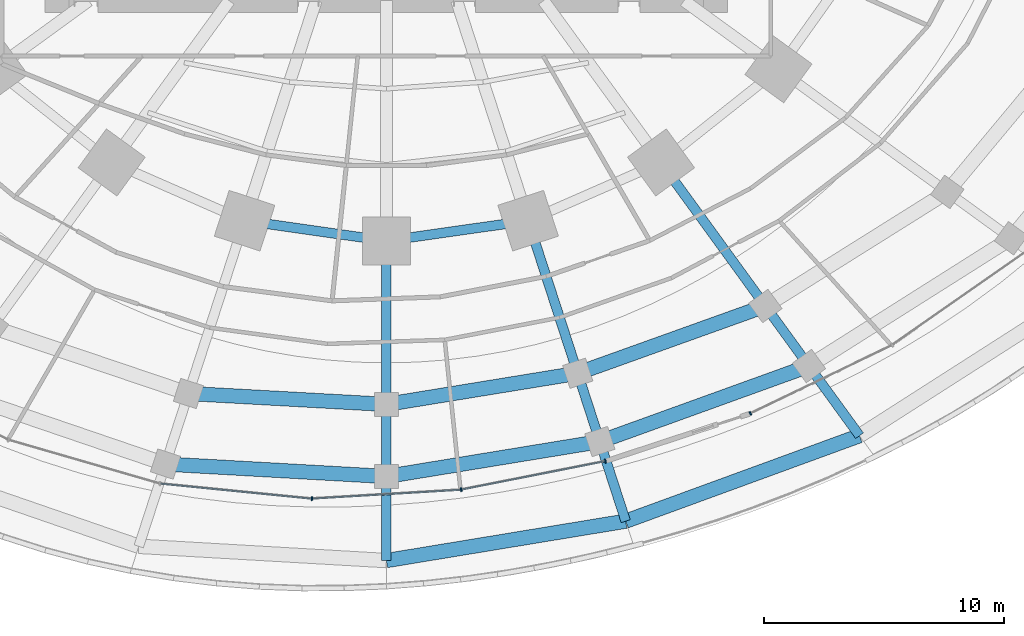
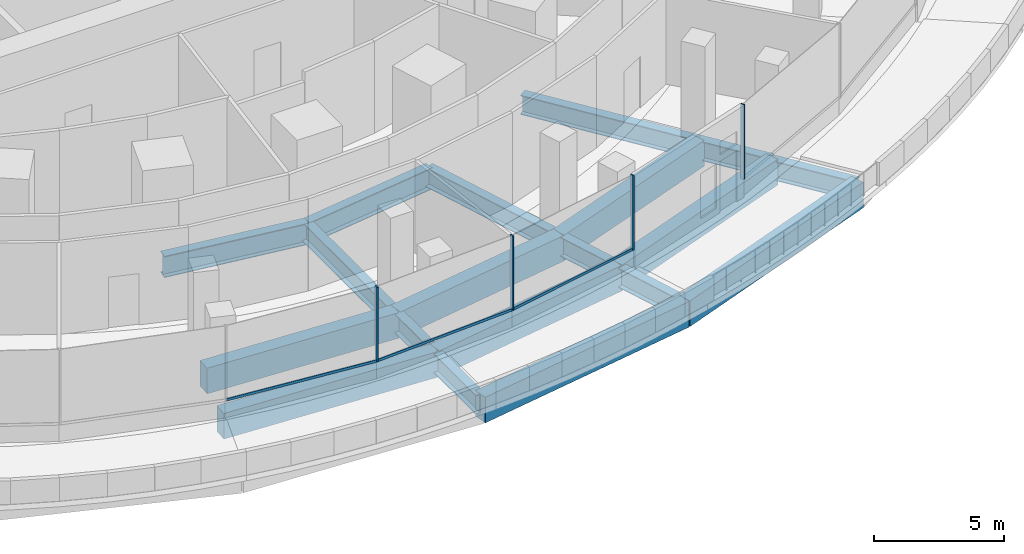
# One storey, part 5 of 27: 19 beams, 7 members, 2 elements without a shape of their own.
"""IFC4 building model written with IfcOpenShell, lengths in metres."""

from ifc_helpers import new_model, si_unit, direction, frame, origin, origin_2d, place, context, subcontext, project, spatial, rectangle, i_section, extrude, material, material_profile, profile_set, type_object, element, aggregate, save


model = new_model("IFC4")

# Units and contexts
model_context = context("Model", 3, precision=1e-05, world=origin(), true_north=direction((0.0, 1.0)))
body_context = subcontext(model_context, "Body", "Model", "MODEL_VIEW")
ifc_project = project(units=[si_unit("LENGTHUNIT", "METRE"), si_unit("AREAUNIT", "SQUARE_METRE"), si_unit("VOLUMEUNIT", "CUBIC_METRE"), si_unit("PLANEANGLEUNIT", "RADIAN"), si_unit("MASSUNIT", "GRAM", prefix="KILO")], contexts=[model_context])

# Site, building, storey
site_placement = place(None, origin())
site = spatial("IfcSite", under=ifc_project, at=site_placement, CompositionType="ELEMENT")
building_placement = place(site_placement, origin())
building = spatial("IfcBuilding", under=site, at=building_placement, Name="Marramba Exchange Tower", CompositionType="ELEMENT")
storey_placement = place(building_placement, frame((0.0, 0.0, 10.60009765625)))
storey = spatial("IfcBuildingStorey", under=building, at=storey_placement, Name="L02", CompositionType="ELEMENT", Elevation=10.60009765625)

# Beams
ifc_material_1 = material(Name="Concrete N50", Category="concrete")
ifc_material_profile_1 = material_profile(ifc_material_1, rectangle(XDim=0.60009765625, YDim=1.199951171875, at=origin_2d()), Name="RC 600x1200")
ifc_profile_set_1 = profile_set([ifc_material_profile_1], Name="Concrete N50")
beam_type_1 = type_object("IfcBeamType", Name="Edge beam RC 600x1200 N50", PredefinedType="SPANDREL", material=ifc_profile_set_1)
beam_1_placement = place(storey_placement, frame((0.0, -32.300048828125, -0.85009765625), z_axis=(0.986720687671, 0.16242624333, 0.0), x_axis=(-0.16242624333, 0.986720687671, 0.0)))
element("IfcBeam", 1, at=beam_1_placement, inside=storey, type_object=beam_type_1, Name="Edge beam L02 P1C16", PredefinedType="SPANDREL", context=body_context, shape_type="SweptSolid", body=[
    extrude(rectangle(XDim=0.60009765625, YDim=1.199951171875, at=origin_2d()), origin(), (0.0, 0.0, 1.0), 10.09619140625),
])
beam_2_placement = place(storey_placement, frame((9.962158203125, -30.66015625, -0.85009765625), z_axis=(0.939206472346, 0.343352883057, 0.0), x_axis=(-0.343352883057, 0.939206472346, 0.0)))
element("IfcBeam", 2, at=beam_2_placement, inside=storey, type_object=beam_type_1, Name="Edge beam L02 P1C17", PredefinedType="SPANDREL", context=body_context, shape_type="SweptSolid", body=[
    extrude(rectangle(XDim=0.60009765625, YDim=1.199951171875, at=origin_2d()), origin(), (0.0, 0.0, 1.0), 10.359375),
])
beam_3_placement = place(storey_placement, frame((-9.190185546875, -28.28466796875, -0.800048828125), z_axis=(0.998431244986, -0.055991508598, 0.0), x_axis=(0.055991508598, 0.998431244986, 0.0)))
element("IfcBeam", 3, at=beam_3_placement, inside=storey, type_object=beam_type_1, Name="Edge beam L02 P2C15", PredefinedType="SPANDREL", context=body_context, shape_type="SweptSolid", body=[
    extrude(rectangle(XDim=0.60009765625, YDim=1.199951171875, at=origin_2d()), origin(), (0.0, 0.0, 1.0), 9.20458984375),
])
beam_4_placement = place(storey_placement, frame((0.0, -28.800048828125, -0.800048828125), z_axis=(0.986899242558, 0.161337797923, 0.0), x_axis=(-0.161337797923, 0.986899242558, 0.0)))
element("IfcBeam", 4, at=beam_4_placement, inside=storey, type_object=beam_type_1, Name="Edge beam L02 P2C16", PredefinedType="SPANDREL", context=body_context, shape_type="SweptSolid", body=[
    extrude(rectangle(XDim=0.60009765625, YDim=1.199951171875, at=origin_2d()), origin(), (0.0, 0.0, 1.0), 9.003662109375),
])
beam_5_placement = place(storey_placement, frame((8.8857421875, -27.347412109375, -0.800048828125), z_axis=(0.940481976413, 0.339843569958, 0.0), x_axis=(-0.339843569958, 0.940481976413, 0.0)))
element("IfcBeam", 5, at=beam_5_placement, inside=storey, type_object=beam_type_1, Name="Edge beam L02 P2C17", PredefinedType="SPANDREL", context=body_context, shape_type="SweptSolid", body=[
    extrude(rectangle(XDim=0.60009765625, YDim=1.199951171875, at=origin_2d()), origin(), (0.0, 0.0, 1.0), 9.25),
])
beam_6_placement = place(storey_placement, frame((-8.23583984375, -25.347412109375, -0.800048828125), z_axis=(0.998493145598, -0.054876572358, 0.0), x_axis=(0.054876572358, 0.998493145598, 0.0)))
element("IfcBeam", 6, at=beam_6_placement, inside=storey, type_object=beam_type_1, Name="Edge beam L02 P3C15", PredefinedType="SPANDREL", context=body_context, shape_type="SweptSolid", body=[
    extrude(rectangle(XDim=0.60009765625, YDim=1.199951171875, at=origin_2d()), origin(), (0.0, 0.0, 1.0), 8.248291015625),
])
beam_7_placement = place(storey_placement, frame((0.0, -25.800048828125, -0.800048828125), z_axis=(0.987006935066, 0.160677659091, 0.0), x_axis=(-0.160677659091, 0.987006935066, 0.0)))
element("IfcBeam", 7, at=beam_7_placement, inside=storey, type_object=beam_type_1, Name="Edge beam L02 P3C16", PredefinedType="SPANDREL", context=body_context, shape_type="SweptSolid", body=[
    extrude(rectangle(XDim=0.60009765625, YDim=1.199951171875, at=origin_2d()), origin(), (0.0, 0.0, 1.0), 8.066650390625),
])
beam_8_placement = place(storey_placement, frame((7.9619140625, -24.50390625, -0.800048828125), z_axis=(0.941347695699, 0.337438165895, 0.0), x_axis=(-0.337438165895, 0.941347695699, 0.0)))
element("IfcBeam", 8, at=beam_8_placement, inside=storey, type_object=beam_type_1, Name="Edge beam L02 P3C17", PredefinedType="SPANDREL", context=body_context, shape_type="SweptSolid", body=[
    extrude(rectangle(XDim=0.60009765625, YDim=1.199951171875, at=origin_2d()), origin(), (0.0, 0.0, 1.0), 8.29443359375),
])

# Curtain wall, members
ifc_material_2 = material(Name="Aluminium framing, bronze anodised", Category="aluminium")
curtain_wall_type = type_object("IfcCurtainWallType", Name="Podium ribbon curtain wall", PredefinedType="USERDEFINED", material=ifc_material_2)
curtain_wall_1_placement = place(storey_placement, origin())
curtain_wall_1 = element("IfcCurtainWall", 9, at=curtain_wall_1_placement, inside=storey, type_object=curtain_wall_type, Name="Curtain wall CW2 L02 F21-F24", ObjectType="RIBBON CURTAIN WALL", PredefinedType="USERDEFINED")
ifc_material_3 = material(Name="Aluminium mullion, bronze anodised", Category="aluminium")
ifc_material_profile_2 = material_profile(ifc_material_3, rectangle(XDim=0.159912109375, YDim=0.06005859375, at=origin_2d()), Name="CW2 mullion 60x160")
ifc_profile_set_2 = profile_set([ifc_material_profile_2], Name="Aluminium mullion, bronze anodised")
member_type_1 = type_object("IfcMemberType", Name="Podium ribbon curtain wall mullion", PredefinedType="MULLION", material=ifc_profile_set_2)
member_1_placement = place(storey_placement, frame((-3.093994140625, -29.720458984375, 0.7998046875), z_axis=(0.0, 0.0, 1.0), x_axis=(-0.059389906272, 0.99823486166, 0.0)))
member_1 = element("IfcMember", 10, at=member_1_placement, type_object=member_type_1, Name="CW2 mullion 1", PredefinedType="MULLION", context=body_context, shape_type="SweptSolid", body=[
    extrude(rectangle(XDim=0.159912109375, YDim=0.06005859375, at=origin_2d()), origin(), (0.0, 0.0, 1.0), 3.5),
])
member_2_placement = place(storey_placement, frame((3.114501953125, -29.346923828125, 0.7998046875), z_axis=(0.0, 0.0, 1.0), x_axis=(-0.19366814038, 0.981067098318, 0.0)))
member_2 = element("IfcMember", 11, at=member_2_placement, type_object=member_type_1, Name="CW2 mullion 1", PredefinedType="MULLION", context=body_context, shape_type="SweptSolid", body=[
    extrude(rectangle(XDim=0.159912109375, YDim=0.06005859375, at=origin_2d()), origin(), (0.0, 0.0, 1.0), 3.5),
])
member_3_placement = place(storey_placement, frame((9.118896484375, -28.16162109375, 0.7998046875), z_axis=(0.0, 0.0, 1.0), x_axis=(-0.19366814038, 0.981067098318, 0.0)))
member_3 = element("IfcMember", 12, at=member_3_placement, type_object=member_type_1, Name="CW2 mullion 2", PredefinedType="MULLION", context=body_context, shape_type="SweptSolid", body=[
    extrude(rectangle(XDim=0.159912109375, YDim=0.06005859375, at=origin_2d()), origin(), (0.0, 0.0, 1.0), 3.5),
])

# Curtain wall, member
curtain_wall_2_placement = place(storey_placement, origin())
curtain_wall_2 = element("IfcCurtainWall", 13, at=curtain_wall_2_placement, inside=storey, type_object=curtain_wall_type, Name="Curtain wall CW2 L02 F26-F27", ObjectType="RIBBON CURTAIN WALL", PredefinedType="USERDEFINED")
member_4_placement = place(storey_placement, frame((15.14794921875, -26.177001953125, 0.7998046875), z_axis=(0.0, 0.0, 1.0), x_axis=(-0.433910456929, 0.900956000795, 0.0)))
member_4 = element("IfcMember", 14, at=member_4_placement, type_object=member_type_1, Name="CW2 mullion 1", PredefinedType="MULLION", context=body_context, shape_type="SweptSolid", body=[
    extrude(rectangle(XDim=0.159912109375, YDim=0.06005859375, at=origin_2d()), origin(), (0.0, 0.0, 1.0), 3.5),
])
aggregate(curtain_wall_2, [member_4])

# Member
ifc_material_4 = material(Name="Aluminium transom, bronze anodised", Category="aluminium")
ifc_material_profile_3 = material_profile(ifc_material_4, rectangle(XDim=0.06005859375, YDim=0.1201171875, at=origin_2d()), Name="CW2 transom 60x120")
ifc_profile_set_3 = profile_set([ifc_material_profile_3], Name="Aluminium transom, bronze anodised")
member_type_2 = type_object("IfcMemberType", Name="Podium ribbon curtain wall transom", PredefinedType="USERDEFINED", material=ifc_profile_set_3)
member_5_placement = place(storey_placement, frame((-9.39306640625, -29.098876953125, 0.829833984375), z_axis=(0.99509381442, -0.098935840339, 0.0), x_axis=(0.098935840339, 0.99509381442, 0.0)))
member_5 = element("IfcMember", 15, at=member_5_placement, type_object=member_type_2, Name="CW2 sill transom", ObjectType="TRANSOM", PredefinedType="USERDEFINED", context=body_context, shape_type="SweptSolid", body=[
    extrude(rectangle(XDim=0.06005859375, YDim=0.1201171875, at=origin_2d()), origin(), (0.0, 0.0, 1.0), 6.300048828125),
])

member_6_placement = place(storey_placement, frame((-3.06396484375, -29.71875, 0.829833984375), z_axis=(0.998233683417, 0.059409707049, 0.0), x_axis=(-0.059409707049, 0.998233683417, 0.0)))
member_6 = element("IfcMember", 16, at=member_6_placement, type_object=member_type_2, Name="CW2 sill transom", ObjectType="TRANSOM", PredefinedType="USERDEFINED", context=body_context, shape_type="SweptSolid", body=[
    extrude(rectangle(XDim=0.06005859375, YDim=0.1201171875, at=origin_2d()), origin(), (0.0, 0.0, 1.0), 6.16015625),
])

member_7_placement = place(storey_placement, frame((3.14404296875, -29.341064453125, 0.829833984375), z_axis=(0.981070302316, 0.193651909138, 0.0), x_axis=(-0.193651909138, 0.981070302316, 0.0)))
member_7 = element("IfcMember", 17, at=member_7_placement, type_object=member_type_2, Name="CW2 sill transom", ObjectType="TRANSOM", PredefinedType="USERDEFINED", context=body_context, shape_type="SweptSolid", body=[
    extrude(rectangle(XDim=0.06005859375, YDim=0.1201171875, at=origin_2d()), origin(), (0.0, 0.0, 1.0), 6.060302734375),
])

aggregate(curtain_wall_1, [member_5, member_1, member_6, member_2, member_3, member_7])

# Beams
ifc_material_5 = material(Name="Steel AS/NZS 3679.2 grade 300", Category="steel")
ifc_material_profile_4 = material_profile(ifc_material_5, i_section(OverallWidth=0.39990234375, OverallDepth=0.89990234375, WebThickness=0.01611328125, FlangeThickness=0.031982421875, at=origin_2d()), Name="900WB282")
ifc_profile_set_4 = profile_set([ifc_material_profile_4], Name="Steel AS/NZS 3679.2 grade 300")
beam_type_2 = type_object("IfcBeamType", Name="Radial girder 900WB282", PredefinedType="BEAM", material=ifc_profile_set_4)
beam_9_placement = place(storey_placement, frame((0.0, -32.300048828125, -0.7001953125), z_axis=(0.0, 1.0, 0.0), x_axis=(-1.0, 0.0, 0.0)))
element("IfcBeam", 18, at=beam_9_placement, inside=storey, type_object=beam_type_2, Name="Radial girder L02 P1C16", PredefinedType="BEAM", context=body_context, shape_type="SweptSolid", body=[
    extrude(i_section(OverallWidth=0.39990234375, OverallDepth=0.89990234375, WebThickness=0.01611328125, FlangeThickness=0.031982421875, at=origin_2d()), origin(), (0.0, 0.0, 1.0), 3.5),
])
beam_10_placement = place(storey_placement, frame((9.962158203125, -30.66015625, -0.7001953125), z_axis=(-0.309027432175, 0.951053124785, 0.0), x_axis=(-0.951053124785, -0.309027432175, 0.0)))
element("IfcBeam", 19, at=beam_10_placement, inside=storey, type_object=beam_type_2, Name="Radial girder L02 P1C17", PredefinedType="BEAM", context=body_context, shape_type="SweptSolid", body=[
    extrude(i_section(OverallWidth=0.39990234375, OverallDepth=0.89990234375, WebThickness=0.01611328125, FlangeThickness=0.031982421875, at=origin_2d()), origin(), (0.0, 0.0, 1.0), 3.483154296875),
])
beam_11_placement = place(storey_placement, frame((19.691650390625, -27.103271484375, -0.7001953125), z_axis=(-0.587766567315, 0.809030569476, 0.0), x_axis=(-0.809030569476, -0.587766567315, 0.0)))
element("IfcBeam", 20, at=beam_11_placement, inside=storey, type_object=beam_type_2, Name="Radial girder L02 P1C18", PredefinedType="BEAM", context=body_context, shape_type="SweptSolid", body=[
    extrude(i_section(OverallWidth=0.39990234375, OverallDepth=0.89990234375, WebThickness=0.01611328125, FlangeThickness=0.031982421875, at=origin_2d()), origin(), (0.0, 0.0, 1.0), 3.583740234375),
])
beam_12_placement = place(storey_placement, frame((0.0, -28.800048828125, -0.650146484375), z_axis=(0.0, 1.0, 0.0), x_axis=(-1.0, 0.0, 0.0)))
element("IfcBeam", 21, at=beam_12_placement, inside=storey, type_object=beam_type_2, Name="Radial girder L02 P2C16", PredefinedType="BEAM", context=body_context, shape_type="SweptSolid", body=[
    extrude(i_section(OverallWidth=0.39990234375, OverallDepth=0.89990234375, WebThickness=0.01611328125, FlangeThickness=0.031982421875, at=origin_2d()), origin(), (0.0, 0.0, 1.0), 3.0),
])
beam_13_placement = place(storey_placement, frame((8.8857421875, -27.347412109375, -0.650146484375), z_axis=(-0.308991903915, 0.951064668314, 0.0), x_axis=(-0.951064668314, -0.308991903915, 0.0)))
element("IfcBeam", 22, at=beam_13_placement, inside=storey, type_object=beam_type_2, Name="Radial girder L02 P2C17", PredefinedType="BEAM", context=body_context, shape_type="SweptSolid", body=[
    extrude(i_section(OverallWidth=0.39990234375, OverallDepth=0.89990234375, WebThickness=0.01611328125, FlangeThickness=0.031982421875, at=origin_2d()), origin(), (0.0, 0.0, 1.0), 2.98974609375),
])
beam_14_placement = place(storey_placement, frame((17.585205078125, -24.203857421875, -0.650146484375), z_axis=(-0.587776831065, 0.809023112688, 0.0), x_axis=(-0.809023112688, -0.587776831065, 0.0)))
element("IfcBeam", 23, at=beam_14_placement, inside=storey, type_object=beam_type_2, Name="Radial girder L02 P2C18", PredefinedType="BEAM", context=body_context, shape_type="SweptSolid", body=[
    extrude(i_section(OverallWidth=0.39990234375, OverallDepth=0.89990234375, WebThickness=0.01611328125, FlangeThickness=0.031982421875, at=origin_2d()), origin(), (0.0, 0.0, 1.0), 3.088623046875),
])
beam_15_placement = place(storey_placement, frame((0.0, -25.800048828125, -0.650146484375), z_axis=(0.0, 1.0, 0.0), x_axis=(-1.0, 0.0, 0.0)))
element("IfcBeam", 24, at=beam_15_placement, inside=storey, type_object=beam_type_2, Name="Radial girder L02 P3C16", PredefinedType="BEAM", context=body_context, shape_type="SweptSolid", body=[
    extrude(i_section(OverallWidth=0.39990234375, OverallDepth=0.89990234375, WebThickness=0.01611328125, FlangeThickness=0.031982421875, at=origin_2d()), origin(), (0.0, 0.0, 1.0), 6.803955078125),
])
beam_16_placement = place(storey_placement, frame((7.9619140625, -24.50390625, -0.650146484375), z_axis=(-0.309019067689, 0.951055842632, 0.0), x_axis=(-0.951055842632, -0.309019067689, 0.0)))
element("IfcBeam", 25, at=beam_16_placement, inside=storey, type_object=beam_type_2, Name="Radial girder L02 P3C17", PredefinedType="BEAM", context=body_context, shape_type="SweptSolid", body=[
    extrude(i_section(OverallWidth=0.39990234375, OverallDepth=0.89990234375, WebThickness=0.01611328125, FlangeThickness=0.031982421875, at=origin_2d()), origin(), (0.0, 0.0, 1.0), 6.673583984375),
])
beam_17_placement = place(storey_placement, frame((15.769775390625, -21.705078125, -0.650146484375), z_axis=(-0.587798025762, 0.809007713752, 0.0), x_axis=(-0.809007713752, -0.587798025762, 0.0)))
element("IfcBeam", 26, at=beam_17_placement, inside=storey, type_object=beam_type_2, Name="Radial girder L02 P3C18", PredefinedType="BEAM", context=body_context, shape_type="SweptSolid", body=[
    extrude(i_section(OverallWidth=0.39990234375, OverallDepth=0.89990234375, WebThickness=0.01611328125, FlangeThickness=0.031982421875, at=origin_2d()), origin(), (0.0, 0.0, 1.0), 7.38232421875),
])
ifc_material_profile_5 = material_profile(ifc_material_5, i_section(OverallWidth=0.39990234375, OverallDepth=1.0, WebThickness=0.01611328125, FlangeThickness=0.031982421875, at=origin_2d()), Name="1000WB322")
ifc_profile_set_5 = profile_set([ifc_material_profile_5], Name="Steel AS/NZS 3679.2 grade 300")
beam_type_3 = type_object("IfcBeamType", Name="Ring beam 1000WB322", PredefinedType="SPANDREL", material=ifc_profile_set_5)
for number, where, z_axis, x_axis, name in (
    (27, (-5.899658203125, -18.156982421875, -0.7001953125), (0.990036163016, -0.140813337152, 0.0), (0.140813337152, 0.990036163016, 0.0), "Ring beam L02 TC15-TC16"),
    (28, (0.0, -18.99609375, -0.7001953125), (0.990036163016, 0.140813337152, 0.0), (-0.140813337152, 0.990036163016, 0.0), "Ring beam L02 TC16-TC17"),
):
    element("IfcBeam", number, at=place(storey_placement, frame(where, z_axis=z_axis, x_axis=x_axis)), inside=storey, type_object=beam_type_3, Name=name, PredefinedType="SPANDREL", context=body_context, shape_type="SweptSolid", body=[
        extrude(i_section(OverallWidth=0.39990234375, OverallDepth=1.0, WebThickness=0.01611328125, FlangeThickness=0.031982421875, at=origin_2d()), origin(), (0.0, 0.0, 1.0), 5.958984375),
    ])

save(model, "model.ifc")
